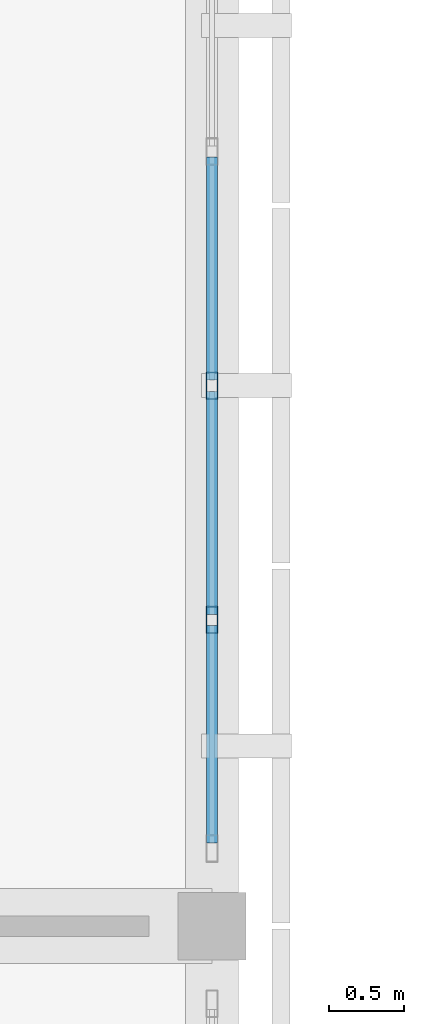
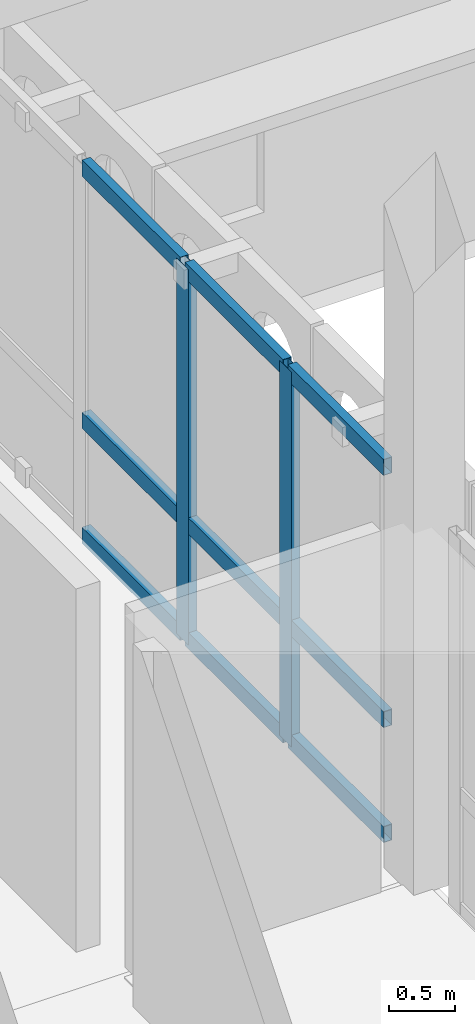
# One storey, part 53 of 171: 11 members, 1 element without a shape of its own.
"""IFC4 building model written with IfcOpenShell, lengths in metres."""

from ifc_helpers import new_model, si_unit, direction, frame, origin, origin_2d, place, context, subcontext, project, spatial, hollow_rectangle, extrude, material, material_profile, profile_set, type_object, element, aggregate, save


model = new_model("IFC4")

# Units and contexts
model_context = context("Model", 3, precision=1e-05, world=origin(), true_north=direction((0.0, 1.0)))
body_context = subcontext(model_context, "Body", "Model", "MODEL_VIEW")
ifc_project = project(units=[si_unit("LENGTHUNIT", "METRE"), si_unit("AREAUNIT", "SQUARE_METRE"), si_unit("VOLUMEUNIT", "CUBIC_METRE"), si_unit("PLANEANGLEUNIT", "RADIAN"), si_unit("MASSUNIT", "GRAM", prefix="KILO")], contexts=[model_context])

# Site, building, storey
site_placement = place(None, origin())
site = spatial("IfcSite", under=ifc_project, at=site_placement, CompositionType="ELEMENT")
building_placement = place(site_placement, origin())
building = spatial("IfcBuilding", under=site, at=building_placement, Name="Aldebral Square Health Centre", CompositionType="ELEMENT")
storey_placement = place(building_placement, frame((0.0, 0.0, 4.5)))
storey = spatial("IfcBuildingStorey", under=building, at=storey_placement, Name="L01", CompositionType="ELEMENT", Elevation=4.5)

# Curtain wall, members
ifc_material_1 = material(Name="Aluminium and low-E solar glass", Category="aluminium")
curtain_wall_type = type_object("IfcCurtainWallType", Name="CW-HALL-SYS", PredefinedType="USERDEFINED", material=ifc_material_1)
curtain_wall_placement = place(storey_placement, origin())
curtain_wall = element("IfcCurtainWall", 1, at=curtain_wall_placement, inside=storey, type_object=curtain_wall_type, Name="L01 V1 hall curtain wall L01-V1-14-12-E", ObjectType="HALL_CURTAIN_WALL", PredefinedType="USERDEFINED")
ifc_material_2 = material(Name="Anodised aluminium mullion", Category="aluminium")
ifc_material_profile_1 = material_profile(ifc_material_2, hollow_rectangle(XDim=0.074951171875, YDim=0.179931640625, WallThickness=0.00390625, at=origin_2d()), Name="CWM 75x180x4")
ifc_profile_set_1 = profile_set([ifc_material_profile_1], Name="Anodised aluminium mullion")
member_type_1 = type_object("IfcMemberType", Name="CWM-STD", PredefinedType="MULLION", material=ifc_profile_set_1)
member_1_placement = place(storey_placement, frame((108.0, 88.43994140625, 0.0), z_axis=(0.0, 0.0, 1.0), x_axis=(-1.0, 0.0, 0.0)))
member_1 = element("IfcMember", 2, at=member_1_placement, type_object=member_type_1, Name="CW2 mullion 2", PredefinedType="MULLION", context=body_context, shape_type="SweptSolid", body=[
    extrude(hollow_rectangle(XDim=0.074951171875, YDim=0.179931640625, WallThickness=0.00390625, at=origin_2d()), origin(), (0.0, 0.0, 1.0), 3.469970703125),
])
member_2_placement = place(storey_placement, frame((108.0, 90.0, 0.0), z_axis=(0.0, 0.0, 1.0), x_axis=(-1.0, 0.0, 0.0)))
member_2 = element("IfcMember", 3, at=member_2_placement, type_object=member_type_1, Name="CW2 mullion 3", PredefinedType="MULLION", context=body_context, shape_type="SweptSolid", body=[
    extrude(hollow_rectangle(XDim=0.074951171875, YDim=0.179931640625, WallThickness=0.00390625, at=origin_2d()), origin(), (0.0, 0.0, 1.0), 3.469970703125),
])
ifc_material_3 = material(Name="Anodised aluminium transom", Category="aluminium")
ifc_material_profile_2 = material_profile(ifc_material_3, hollow_rectangle(XDim=0.074951171875, YDim=0.14990234375, WallThickness=0.00390625, at=origin_2d()), Name="CWT 75x150x4")
ifc_profile_set_2 = profile_set([ifc_material_profile_2], Name="Anodised aluminium transom")
member_type_2 = type_object("IfcMemberType", Name="CWT-STD", PredefinedType="USERDEFINED", material=ifc_profile_set_2)
member_3_placement = place(storey_placement, frame((108.0, 86.955078125, 0.03759765625), z_axis=(0.0, 1.0, 0.0), x_axis=(-1.0, 0.0, 0.0)))
member_3 = element("IfcMember", 4, at=member_3_placement, type_object=member_type_2, Name="CW2 transom 1.1", ObjectType="TRANSOM", PredefinedType="USERDEFINED", context=body_context, shape_type="SweptSolid", body=[
    extrude(hollow_rectangle(XDim=0.074951171875, YDim=0.14990234375, WallThickness=0.00390625, at=origin_2d()), origin(), (0.0, 0.0, 1.0), 1.447509765625),
])
member_4_placement = place(storey_placement, frame((108.0, 86.955078125, 1.10009765625), z_axis=(0.0, 1.0, 0.0), x_axis=(-1.0, 0.0, 0.0)))
member_4 = element("IfcMember", 5, at=member_4_placement, type_object=member_type_2, Name="CW2 transom 1.2", ObjectType="TRANSOM", PredefinedType="USERDEFINED", context=body_context, shape_type="SweptSolid", body=[
    extrude(hollow_rectangle(XDim=0.074951171875, YDim=0.14990234375, WallThickness=0.00390625, at=origin_2d()), origin(), (0.0, 0.0, 1.0), 1.447509765625),
])
member_5_placement = place(storey_placement, frame((108.0, 86.955078125, 3.4326171875), z_axis=(0.0, 1.0, 0.0), x_axis=(-1.0, 0.0, 0.0)))
member_5 = element("IfcMember", 6, at=member_5_placement, type_object=member_type_2, Name="CW2 transom 1.3", ObjectType="TRANSOM", PredefinedType="USERDEFINED", context=body_context, shape_type="SweptSolid", body=[
    extrude(hollow_rectangle(XDim=0.074951171875, YDim=0.14990234375, WallThickness=0.00390625, at=origin_2d()), origin(), (0.0, 0.0, 1.0), 1.447509765625),
])
member_6_placement = place(storey_placement, frame((108.0, 88.4775390625, 0.03759765625), z_axis=(0.0, 1.0, 0.0), x_axis=(-1.0, 0.0, 0.0)))
member_6 = element("IfcMember", 7, at=member_6_placement, type_object=member_type_2, Name="CW2 transom 2.1", ObjectType="TRANSOM", PredefinedType="USERDEFINED", context=body_context, shape_type="SweptSolid", body=[
    extrude(hollow_rectangle(XDim=0.074951171875, YDim=0.14990234375, WallThickness=0.00390625, at=origin_2d()), origin(), (0.0, 0.0, 1.0), 1.48486328125),
])
member_7_placement = place(storey_placement, frame((108.0, 88.4775390625, 1.10009765625), z_axis=(0.0, 1.0, 0.0), x_axis=(-1.0, 0.0, 0.0)))
member_7 = element("IfcMember", 8, at=member_7_placement, type_object=member_type_2, Name="CW2 transom 2.2", ObjectType="TRANSOM", PredefinedType="USERDEFINED", context=body_context, shape_type="SweptSolid", body=[
    extrude(hollow_rectangle(XDim=0.074951171875, YDim=0.14990234375, WallThickness=0.00390625, at=origin_2d()), origin(), (0.0, 0.0, 1.0), 1.48486328125),
])
member_8_placement = place(storey_placement, frame((108.0, 88.4775390625, 3.4326171875), z_axis=(0.0, 1.0, 0.0), x_axis=(-1.0, 0.0, 0.0)))
member_8 = element("IfcMember", 9, at=member_8_placement, type_object=member_type_2, Name="CW2 transom 2.3", ObjectType="TRANSOM", PredefinedType="USERDEFINED", context=body_context, shape_type="SweptSolid", body=[
    extrude(hollow_rectangle(XDim=0.074951171875, YDim=0.14990234375, WallThickness=0.00390625, at=origin_2d()), origin(), (0.0, 0.0, 1.0), 1.48486328125),
])
member_9_placement = place(storey_placement, frame((108.0, 90.03759765625, 0.03759765625), z_axis=(0.0, 1.0, 0.0), x_axis=(-1.0, 0.0, 0.0)))
member_9 = element("IfcMember", 10, at=member_9_placement, type_object=member_type_2, Name="CW2 transom 3.1", ObjectType="TRANSOM", PredefinedType="USERDEFINED", context=body_context, shape_type="SweptSolid", body=[
    extrude(hollow_rectangle(XDim=0.074951171875, YDim=0.14990234375, WallThickness=0.00390625, at=origin_2d()), origin(), (0.0, 0.0, 1.0), 1.48486328125),
])
member_10_placement = place(storey_placement, frame((108.0, 90.03759765625, 1.10009765625), z_axis=(0.0, 1.0, 0.0), x_axis=(-1.0, 0.0, 0.0)))
member_10 = element("IfcMember", 11, at=member_10_placement, type_object=member_type_2, Name="CW2 transom 3.2", ObjectType="TRANSOM", PredefinedType="USERDEFINED", context=body_context, shape_type="SweptSolid", body=[
    extrude(hollow_rectangle(XDim=0.074951171875, YDim=0.14990234375, WallThickness=0.00390625, at=origin_2d()), origin(), (0.0, 0.0, 1.0), 1.48486328125),
])
member_11_placement = place(storey_placement, frame((108.0, 90.03759765625, 3.4326171875), z_axis=(0.0, 1.0, 0.0), x_axis=(-1.0, 0.0, 0.0)))
member_11 = element("IfcMember", 12, at=member_11_placement, type_object=member_type_2, Name="CW2 transom 3.3", ObjectType="TRANSOM", PredefinedType="USERDEFINED", context=body_context, shape_type="SweptSolid", body=[
    extrude(hollow_rectangle(XDim=0.074951171875, YDim=0.14990234375, WallThickness=0.00390625, at=origin_2d()), origin(), (0.0, 0.0, 1.0), 1.48486328125),
])
aggregate(curtain_wall, [member_1, member_2, member_3, member_4, member_5, member_6, member_7, member_8, member_9, member_10, member_11])

save(model, "model.ifc")
